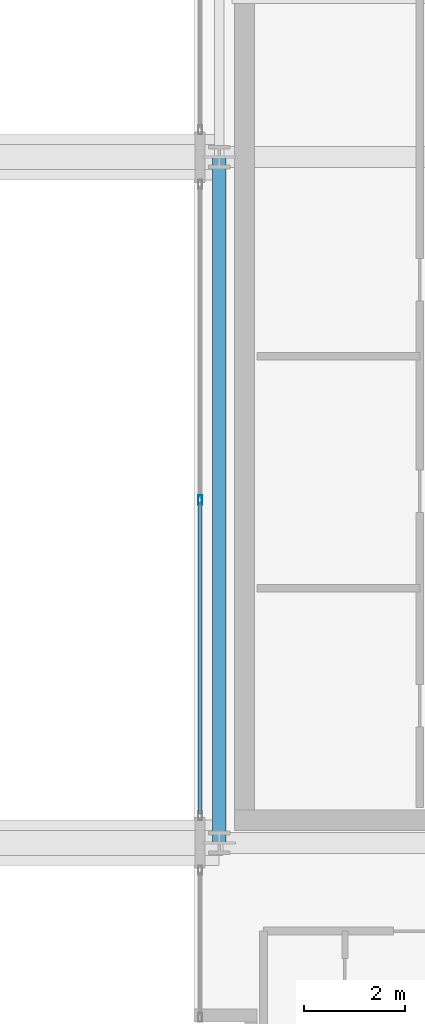
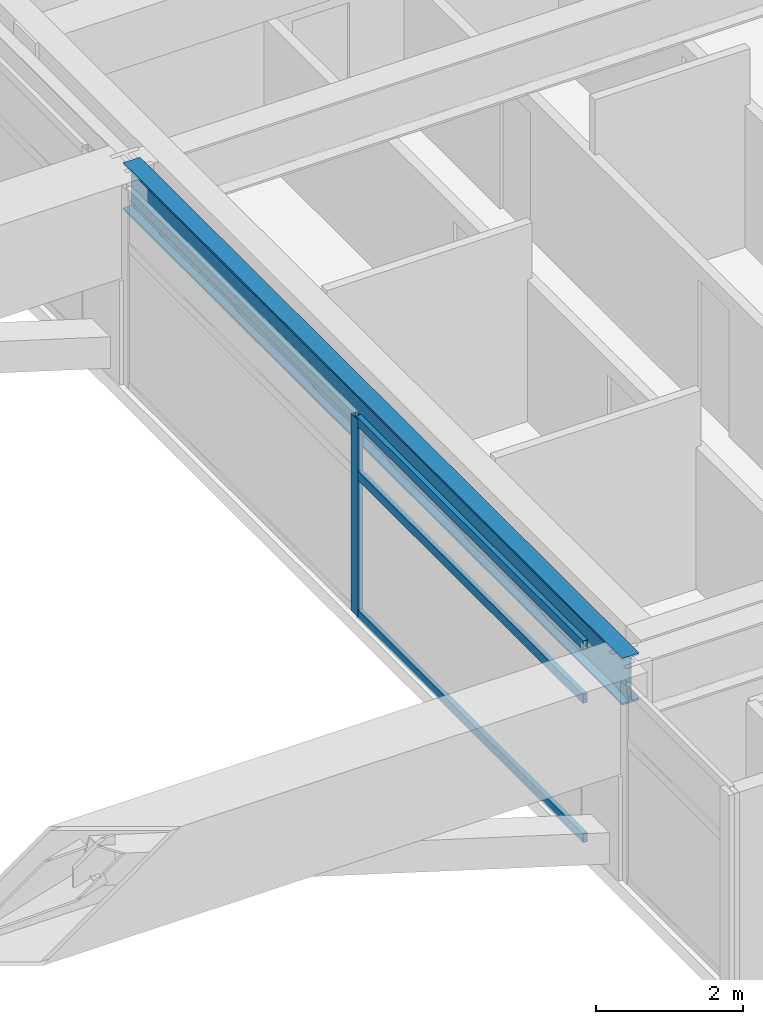
# One storey, part 12 of 28: 4 members, 1 beam, 1 element without a shape of its own.
"""IFC4 building model written with IfcOpenShell, lengths in metres."""

import ifcopenshell
import ifcopenshell.guid

model = None  # the IFC model being written
_history = None  # IfcOwnerHistory: only IFC2X3 demands one
_inside = {}  # id of a spatial element -> (the spatial element, [elements in it])
_under = {}  # id of a project, library or spatial element -> (it, [spatial elements below it])
_declared = {}  # id of a project -> (the project, [libraries it declares])
_typed = {}  # id of a type object -> (the type object, [elements of that type])
_made_of = {}  # id of a material, layer set ... -> (it, [elements and type objects made of it])


def new_model(schema):
    """Start an empty IFC model of exactly this schema.

    Asked for "IFC4X3", IfcOpenShell would pick the latest addendum, in which some entities
    have other attributes; the version numbers below select the first issue.
    IFC2X3 requires an IfcOwnerHistory on every rooted entity: one is made here for all.
    """
    global model, _history
    if schema == "IFC4X3":
        model = ifcopenshell.file(schema_version=(4, 3, 0, 0))
    else:
        model = ifcopenshell.file(schema=schema)
    _inside.clear()
    _under.clear()
    _declared.clear()
    _typed.clear()
    _made_of.clear()
    _history = None
    if model.schema == "IFC2X3":
        org = make("IfcOrganization", Name="unknown")
        user = make(
            "IfcPersonAndOrganization",
            ThePerson=make("IfcPerson", FamilyName="unknown"),
            TheOrganization=org,
        )
        app = make(
            "IfcApplication",
            ApplicationDeveloper=org,
            Version="unknown",
            ApplicationFullName="unknown",
            ApplicationIdentifier="unknown",
        )
        _history = make(
            "IfcOwnerHistory",
            OwningUser=user,
            OwningApplication=app,
            ChangeAction="ADDED",
            CreationDate=0,
        )
    return model


def make(cls, **values):
    """One entity of the class cls with the attributes given. An attribute that is None is left unset."""
    return model.create_entity(
        cls, **{name: value for name, value in values.items() if value is not None}
    )


def rooted(cls, **values):
    """An entity with a GlobalId (a new one), such as an element, a storey or a relation."""
    return make(cls, GlobalId=ifcopenshell.guid.new(), OwnerHistory=_history, **values)


def si_unit(unit_type, name, prefix=None):
    """IfcSIUnit, for example si_unit("LENGTHUNIT", "METRE", prefix="MILLI")."""
    return make("IfcSIUnit", UnitType=unit_type, Prefix=prefix, Name=name)


def assignment(units):
    """IfcUnitAssignment: the units of a project."""
    return None if units is None else make("IfcUnitAssignment", Units=units)


def point(xyz):
    """IfcCartesianPoint."""
    return None if xyz is None else make("IfcCartesianPoint", Coordinates=xyz)


def direction(xyz):
    """IfcDirection."""
    return None if xyz is None else make("IfcDirection", DirectionRatios=xyz)


def frame(location, z_axis=None, x_axis=None):
    """IfcAxis2Placement3D, a coordinate frame: its origin and axes. An axis left out is left unset."""
    return make(
        "IfcAxis2Placement3D",
        Location=point(location),
        Axis=direction(z_axis),
        RefDirection=direction(x_axis),
    )


def frame_2d(location, x_axis=None):
    """IfcAxis2Placement2D, a coordinate frame in the plane: its origin and x axis."""
    return make(
        "IfcAxis2Placement2D", Location=point(location), RefDirection=direction(x_axis)
    )


def origin():
    """The frame at (0, 0, 0) with its axes left unset."""
    return frame((0.0, 0.0, 0.0))


def origin_2d():
    """The frame at (0, 0) in the plane with its x axis left unset."""
    return frame_2d((0.0, 0.0))


def place(relative_to, where):
    """IfcLocalPlacement: puts the frame where relative to a parent placement (None: the world)."""
    return make(
        "IfcLocalPlacement", PlacementRelTo=relative_to, RelativePlacement=where
    )


def context(
    kind, dimensions, precision=None, world=None, true_north=None, identifier=None
):
    """IfcGeometricRepresentationContext, for example the 3D "Model" context."""
    return make(
        "IfcGeometricRepresentationContext",
        ContextIdentifier=identifier,
        ContextType=kind,
        CoordinateSpaceDimension=dimensions,
        Precision=precision,
        WorldCoordinateSystem=world,
        TrueNorth=true_north,
    )


def subcontext(parent, identifier, kind, view, scale=None):
    """IfcGeometricRepresentationSubContext, for example "Body" below "Model"."""
    return make(
        "IfcGeometricRepresentationSubContext",
        ContextIdentifier=identifier,
        ContextType=kind,
        ParentContext=parent,
        TargetScale=scale,
        TargetView=view,
    )


def project(units=None, contexts=None):
    """IfcProject with its units and contexts."""
    return rooted(
        "IfcProject",
        Name="project",
        RepresentationContexts=contexts,
        UnitsInContext=assignment(units),
    )


def spatial(cls, under=None, at=None, **own):
    """A site, building, storey or space (cls), placed at a placement, below another one or the project."""
    s = rooted(cls, ObjectPlacement=at, **own)
    if under is not None:
        _under.setdefault(under.id(), (under, []))[1].append(s)
    return s


def profile(cls, at=None, kind="AREA", **sizes):
    """A parametric profile (cls). Its sizes go by their IFC names, for example OverallWidth=200.0."""
    return make(cls, ProfileType=kind, Position=at, **sizes)


def hollow_rectangle(**sizes):
    """IfcRectangleHollowProfileDef."""
    return profile("IfcRectangleHollowProfileDef", **sizes)


def i_section(**sizes):
    """IfcIShapeProfileDef."""
    return profile("IfcIShapeProfileDef", **sizes)


def extrude(swept, where, along, depth):
    """IfcExtrudedAreaSolid: the profile swept, set in the frame where, extruded along a direction by depth."""
    return make(
        "IfcExtrudedAreaSolid",
        SweptArea=swept,
        Position=where,
        ExtrudedDirection=direction(along),
        Depth=depth,
    )


def shape(context_of_items, identifier, shape_type, items):
    """IfcShapeRepresentation: the items that make up one representation, for example the "Body"."""
    return make(
        "IfcShapeRepresentation",
        ContextOfItems=context_of_items,
        RepresentationIdentifier=identifier,
        RepresentationType=shape_type,
        Items=items,
    )


def source(mapping_origin, context_of_items, identifier, shape_type, items):
    """IfcRepresentationMap: a shape defined once, which mapped items show again and again."""
    return make(
        "IfcRepresentationMap",
        MappingOrigin=mapping_origin,
        MappedRepresentation=shape(context_of_items, identifier, shape_type, items),
    )


def transform(
    local_origin,
    x_axis=None,
    y_axis=None,
    z_axis=None,
    scale=None,
    scale2=None,
    scale3=None,
    uniform=True,
):
    """IfcCartesianTransformationOperator3D, or its non-uniform kind. x_axis, y_axis, z_axis: its Axis1, 2, 3."""
    if uniform:
        return make(
            "IfcCartesianTransformationOperator3D",
            Axis1=direction(x_axis),
            Axis2=direction(y_axis),
            LocalOrigin=point(local_origin),
            Scale=scale,
            Axis3=direction(z_axis),
        )
    return make(
        "IfcCartesianTransformationOperator3DnonUniform",
        Axis1=direction(x_axis),
        Axis2=direction(y_axis),
        LocalOrigin=point(local_origin),
        Scale=scale,
        Axis3=direction(z_axis),
        Scale2=scale2,
        Scale3=scale3,
    )


def mapped(mapping_source, mapping_target):
    """IfcMappedItem: shows the shape of a source again, moved by a transform."""
    return make(
        "IfcMappedItem", MappingSource=mapping_source, MappingTarget=mapping_target
    )


def material(Name=None, Category=None):
    """IfcMaterial."""
    return make("IfcMaterial", Name=Name, Category=Category)


def layer(
    of_material, thickness, ventilated=None, Name=None, Category=None, Priority=None
):
    """IfcMaterialLayer: one layer of a wall or slab, of a material (None: an air gap)."""
    return make(
        "IfcMaterialLayer",
        Material=of_material,
        LayerThickness=thickness,
        IsVentilated=ventilated,
        Name=Name,
        Category=Category,
        Priority=Priority,
    )


def layer_set(layers, Name=None):
    """IfcMaterialLayerSet."""
    return make("IfcMaterialLayerSet", MaterialLayers=layers, LayerSetName=Name)


def material_profile(
    of_material, cross_section, Name=None, Category=None, Priority=None
):
    """IfcMaterialProfile: a cross section and its material."""
    return make(
        "IfcMaterialProfile",
        Name=Name,
        Material=of_material,
        Profile=cross_section,
        Priority=Priority,
        Category=Category,
    )


def profile_set(profiles, Name=None, composite=None):
    """IfcMaterialProfileSet."""
    return make(
        "IfcMaterialProfileSet",
        Name=Name,
        MaterialProfiles=profiles,
        CompositeProfile=composite,
    )


def made_of(thing, what):
    """Note that an element or type object is made of a material, layer set ...; save() writes the relation."""
    if what is not None:
        _made_of.setdefault(what.id(), (what, []))[1].append(thing)
    return thing


def type_object(cls, material=None, **own):
    """A type object (cls), such as IfcWallType, which elements share."""
    return made_of(rooted(cls, **own), material)


def element(
    cls,
    number,
    at=None,
    inside=None,
    cuts=None,
    type_object=None,
    material=None,
    context=None,
    identifier="Body",
    shape_type=None,
    held_by="IfcProductDefinitionShape",
    body=None,
    shapes=None,
    **own,
):
    """One element of the class cls, such as IfcWall. Its Tag is "e" and its number.

    at: its placement. inside: the storey or other place that contains it. cuts: it is an
    opening in that element (IfcRelVoidsElement). A single representation is given by context,
    identifier, shape_type and body (its items); several are given by shapes. held_by: the class
    of the entity that holds the representations. save() writes the other relations.
    """
    e = rooted(cls, Tag="e%d" % number, ObjectPlacement=at, **own)
    if body is not None:
        shapes = [shape(context, identifier, shape_type, body)]
    if shapes is not None:
        e.Representation = make(held_by, Representations=shapes)
    if inside is not None:
        _inside.setdefault(inside.id(), (inside, []))[1].append(e)
    if cuts is not None:
        rooted(
            "IfcRelVoidsElement", RelatingBuildingElement=cuts, RelatedOpeningElement=e
        )
    if type_object is not None:
        _typed.setdefault(type_object.id(), (type_object, []))[1].append(e)
    return made_of(e, material)


def aggregate(whole, parts):
    """IfcRelAggregates: a whole, such as a stair, and the parts it consists of."""
    return rooted("IfcRelAggregates", RelatingObject=whole, RelatedObjects=parts)


def save(model, path):
    """Write the relations noted so far, then the file.

    IfcRelAggregates (storeys below a building ...), IfcRelContainedInSpatialStructure (elements
    in a storey), IfcRelDefinesByType, IfcRelAssociatesMaterial and IfcRelDeclares: one each for
    every whole, place, type object, material and project.
    """
    for whole, parts in _under.values():
        aggregate(whole, parts)
    for where, things in _inside.values():
        rooted(
            "IfcRelContainedInSpatialStructure",
            RelatedElements=things,
            RelatingStructure=where,
        )
    for kind, things in _typed.values():
        rooted("IfcRelDefinesByType", RelatedObjects=things, RelatingType=kind)
    for what, things in _made_of.values():
        rooted("IfcRelAssociatesMaterial", RelatedObjects=things, RelatingMaterial=what)
    for by, libraries in _declared.values():
        rooted("IfcRelDeclares", RelatingContext=by, RelatedDefinitions=libraries)
    model.write(path)


model = new_model("IFC4")

# Units and contexts
model_context = context("Model", 3, precision=1e-05, world=origin(), true_north=direction((0.0, 1.0)))
body_context = subcontext(model_context, "Body", "Model", "MODEL_VIEW")
ifc_project = project(units=[si_unit("LENGTHUNIT", "METRE"), si_unit("AREAUNIT", "SQUARE_METRE"), si_unit("VOLUMEUNIT", "CUBIC_METRE"), si_unit("PLANEANGLEUNIT", "RADIAN"), si_unit("MASSUNIT", "GRAM", prefix="KILO")], contexts=[model_context])

# Site, building, storey
site_placement = place(None, origin())
site = spatial("IfcSite", under=ifc_project, at=site_placement, CompositionType="ELEMENT")
building_placement = place(site_placement, origin())
building = spatial("IfcBuilding", under=site, at=building_placement, Name="Ocotamira Hotel", CompositionType="ELEMENT")
storey_placement = place(building_placement, frame((0.0, 0.0, 268.800048828125)))
storey = spatial("IfcBuildingStorey", under=building, at=storey_placement, Name="L68", CompositionType="ELEMENT", Elevation=268.800048828125)

# Beam
ifc_material_1 = material(Name="Steel ASTM A992 Grade 50", Category="steel")
ifc_material_profile_1 = material_profile(ifc_material_1, i_section(OverallWidth=0.26611328125, OverallDepth=0.779052734375, WebThickness=0.0166015625, FlangeThickness=0.030029296875, FilletRadius=0.01806640625, at=origin_2d()), Name="W30X148")
ifc_profile_set_1 = profile_set([ifc_material_profile_1], Name="Steel ASTM A992 Grade 50")
beam_type = type_object("IfcBeamType", Name="BM-GIRD-W30X148", PredefinedType="BEAM", material=ifc_profile_set_1)
shared_shape_1 = source(origin(), body_context, "Body", "SweptSolid", [
    extrude(i_section(OverallWidth=0.26611328125, OverallDepth=0.779052734375, WebThickness=0.0166015625, FlangeThickness=0.030029296875, FilletRadius=0.01806640625, at=origin_2d()), origin(), (0.0, 0.0, 1.0), 13.599853515625),
])
beam_placement = place(storey_placement, frame((40.5, 14.550048828125, 2.890380859375), z_axis=(0.0, 1.0, 0.0), x_axis=(-1.0, 0.0, 0.0)))
element("IfcBeam", 1, at=beam_placement, inside=storey, type_object=beam_type, Name="L68 Beam X40.5 Y14.55-28.15", PredefinedType="BEAM", context=body_context, shape_type="MappedRepresentation", body=[
    mapped(shared_shape_1, transform((0.0, 0.0, 0.0), scale=1.0)),
])

# Curtain wall, members
ifc_material_2 = material(Name="Anodised pale-metal aluminium and solar glass", Category="aluminium")
ifc_layer = layer(ifc_material_2, 0.2099609375)
ifc_layer_set = layer_set([ifc_layer], Name="Anodised pale-metal aluminium and solar glass")
curtain_wall_type = type_object("IfcCurtainWallType", Name="CW-SYS7-PEAK", PredefinedType="NOTDEFINED", material=ifc_layer_set)
curtain_wall_placement = place(storey_placement, origin())
curtain_wall = element("IfcCurtainWall", 2, at=curtain_wall_placement, inside=storey, type_object=curtain_wall_type, Name="L68 Curtain Wall CW-7 CW-L68-EI2", PredefinedType="NOTDEFINED")
ifc_material_3 = material(Name="Anodised pale-metal aluminium 6063-T6", Category="aluminium")
ifc_material_profile_2 = material_profile(ifc_material_3, hollow_rectangle(XDim=0.080078125, YDim=0.179931640625, WallThickness=0.006103515625, at=origin_2d()), Name="HSS180X80X6")
ifc_profile_set_2 = profile_set([ifc_material_profile_2], Name="Anodised pale-metal aluminium 6063-T6")
member_type_1 = type_object("IfcMemberType", Name="CWM-180X75", PredefinedType="MULLION", material=ifc_profile_set_2)
shared_shape_2 = source(origin(), body_context, "Body", "SweptSolid", [
    extrude(hollow_rectangle(XDim=0.080078125, YDim=0.179931640625, WallThickness=0.006103515625, at=origin_2d()), origin(), (0.0, 0.0, 1.0), 3.280029296875),
])
member_1_placement = place(storey_placement, frame((40.1201171875, 21.35009765625, 0.0), z_axis=(0.0, 0.0, 1.0), x_axis=(-1.0, 0.0, 0.0)))
member_1 = element("IfcMember", 3, at=member_1_placement, type_object=member_type_1, Name="CW-7 mullion 2", PredefinedType="MULLION", context=body_context, shape_type="MappedRepresentation", body=[
    mapped(shared_shape_2, transform((0.0, 0.0, 0.0), scale=1.0)),
])
ifc_material_profile_3 = material_profile(ifc_material_3, hollow_rectangle(XDim=0.074951171875, YDim=0.14990234375, WallThickness=0.006103515625, at=origin_2d()), Name="HSS150X75X6")
ifc_profile_set_3 = profile_set([ifc_material_profile_3], Name="Anodised pale-metal aluminium 6063-T6")
member_type_2 = type_object("IfcMemberType", Name="CWT-150X75", PredefinedType="USERDEFINED", material=ifc_profile_set_3)
shared_shape_3 = source(origin(), body_context, "Body", "SweptSolid", [
    extrude(hollow_rectangle(XDim=0.074951171875, YDim=0.14990234375, WallThickness=0.006103515625, at=origin_2d()), origin(), (0.0, 0.0, 1.0), 6.18017578125),
])
member_2_placement = place(storey_placement, frame((40.1201171875, 15.1298828125, 0.037353515625), z_axis=(0.0, 1.0, 0.0), x_axis=(-1.0, 0.0, 0.0)))
member_2 = element("IfcMember", 4, at=member_2_placement, type_object=member_type_2, Name="CW-7 transom 1.1", ObjectType="TRANSOM", PredefinedType="USERDEFINED", context=body_context, shape_type="MappedRepresentation", body=[
    mapped(shared_shape_3, transform((0.0, 0.0, 0.0), scale=1.0)),
])
member_3_placement = place(storey_placement, frame((40.1201171875, 15.1298828125, 2.349853515625), z_axis=(0.0, 1.0, 0.0), x_axis=(-1.0, 0.0, 0.0)))
member_3 = element("IfcMember", 5, at=member_3_placement, type_object=member_type_2, Name="CW-7 transom 1.2", ObjectType="TRANSOM", PredefinedType="USERDEFINED", context=body_context, shape_type="MappedRepresentation", body=[
    mapped(shared_shape_3, transform((0.0, 0.0, 0.0), scale=1.0)),
])
member_4_placement = place(storey_placement, frame((40.1201171875, 15.1298828125, 3.242431640625), z_axis=(0.0, 1.0, 0.0), x_axis=(-1.0, 0.0, 0.0)))
member_4 = element("IfcMember", 6, at=member_4_placement, type_object=member_type_2, Name="CW-7 transom 1.3", ObjectType="TRANSOM", PredefinedType="USERDEFINED", context=body_context, shape_type="MappedRepresentation", body=[
    mapped(shared_shape_3, transform((0.0, 0.0, 0.0), scale=1.0)),
])
aggregate(curtain_wall, [member_1, member_2, member_3, member_4])

save(model, "model.ifc")
